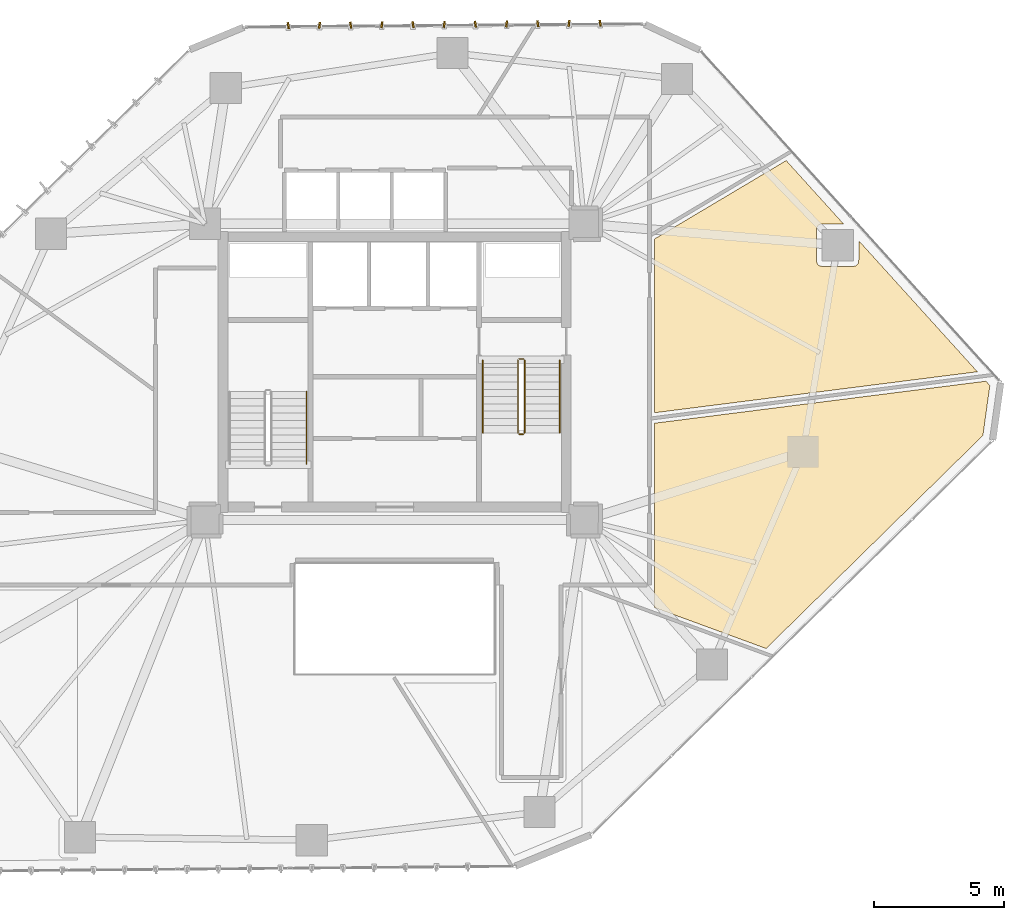
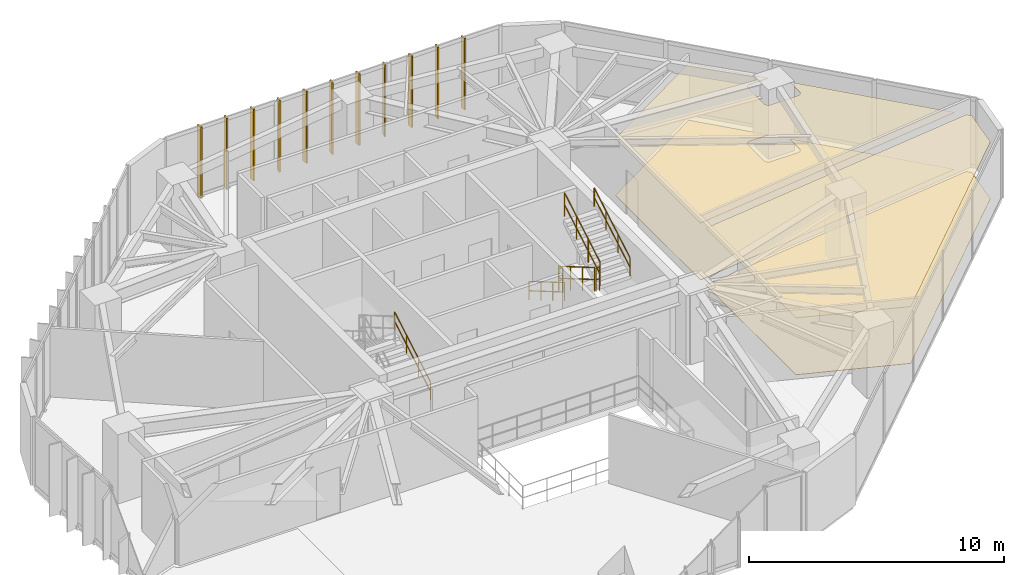
# One storey, part 21 of 21: 11 shading devices, 7 railings, 4 coverings.
"""IFC4 building model written with IfcOpenShell, lengths in metres."""

from ifc_helpers import new_model, si_unit, direction, frame, origin, origin_2d, place, context, subcontext, project, spatial, polyline, rectangle, circle, outline, extrude, source, transform, mapped, material, layer, layer_set, type_object, type_shapes, element, save


model = new_model("IFC4")

# Units and contexts
model_context = context("Model", 3, precision=1e-05, world=origin(), true_north=direction((0.0, 1.0)))
body_context = subcontext(model_context, "Body", "Model", "MODEL_VIEW")
ifc_project = project(units=[si_unit("LENGTHUNIT", "METRE"), si_unit("AREAUNIT", "SQUARE_METRE"), si_unit("VOLUMEUNIT", "CUBIC_METRE"), si_unit("PLANEANGLEUNIT", "RADIAN"), si_unit("MASSUNIT", "GRAM", prefix="KILO")], contexts=[model_context])

# Site, building, storey
site_placement = place(None, origin())
site = spatial("IfcSite", under=ifc_project, at=site_placement, CompositionType="ELEMENT")
building_placement = place(site_placement, origin())
building = spatial("IfcBuilding", under=site, at=building_placement, Name="Talar Marvaseh", CompositionType="ELEMENT")
storey_placement = place(building_placement, frame((0.0, 0.0, 93.0)))
storey = spatial("IfcBuildingStorey", under=building, at=storey_placement, Name="L23", CompositionType="ELEMENT", Elevation=93.0)

# Railings
ifc_material_1 = material(Name="Stainless Steel Grade 316", Category="steel")
railing_type_1 = type_object("IfcRailingType", Name="Brushed Stainless Wall Pitch Handrail 900", PredefinedType="HANDRAIL", material=ifc_material_1)
railing_1_placement = place(storey_placement, frame((22.610107421875, 27.64990234375, 0.16357421875)))
element("IfcRailing", 1, at=railing_1_placement, inside=storey, type_object=railing_type_1, Name="L23 ST-1 stair handrail 1", PredefinedType="HANDRAIL", context=body_context, shape_type="SweptSolid", body=[
    extrude(circle(Radius=0.02392578125, at=origin_2d()), frame((0.0, 0.0, 0.8759765625), z_axis=(0.0, 0.863360870873, 0.504586966384), x_axis=(-1.0, 0.0, 0.0)), (0.0, 0.0, 1.0), 3.2431640625),
    extrude(circle(Radius=0.02392578125, at=origin_2d()), frame((0.0, 0.0, 0.42578125), z_axis=(0.0, 0.863360870873, 0.504586966384), x_axis=(-1.0, 0.0, 0.0)), (0.0, 0.0, 1.0), 3.2431640625),
    extrude(circle(Radius=0.02099609375, at=origin_2d()), origin(), (0.0, 0.0, 1.0), 0.851806640625),
    extrude(circle(Radius=0.02099609375, at=origin_2d()), frame((0.0, 0.933349609375, 0.54541015625)), (0.0, 0.0, 1.0), 0.851806640625),
    extrude(circle(Radius=0.02099609375, at=origin_2d()), frame((0.0, 1.86669921875, 1.091064453125)), (0.0, 0.0, 1.0), 0.851806640625),
    extrude(circle(Radius=0.02099609375, at=origin_2d()), frame((0.0, 2.800048828125, 1.636474609375)), (0.0, 0.0, 1.0), 0.851806640625),
])
railing_2_placement = place(storey_placement, frame((29.389892578125, 31.64990234375, 0.16357421875)))
element("IfcRailing", 2, at=railing_2_placement, inside=storey, type_object=railing_type_1, Name="L23 ST-2 stair handrail 1", PredefinedType="HANDRAIL", context=body_context, shape_type="SweptSolid", body=[
    extrude(circle(Radius=0.02392578125, at=origin_2d()), frame((0.0, 0.0, 0.8759765625), z_axis=(0.0, -0.863341702679, 0.504619762213), x_axis=(1.0, 0.0, 0.0)), (0.0, 0.0, 1.0), 3.242919921875),
    extrude(circle(Radius=0.02392578125, at=origin_2d()), frame((0.0, 0.0, 0.42578125), z_axis=(0.0, -0.863341702679, 0.504619762213), x_axis=(1.0, 0.0, 0.0)), (0.0, 0.0, 1.0), 3.242919921875),
    extrude(circle(Radius=0.02099609375, at=origin_2d()), origin(), (0.0, 0.0, 1.0), 0.851806640625),
    extrude(circle(Radius=0.02099609375, at=origin_2d()), frame((0.0, -0.933349609375, 0.54541015625)), (0.0, 0.0, 1.0), 0.851806640625),
    extrude(circle(Radius=0.02099609375, at=origin_2d()), frame((0.0, -1.866455078125, 1.091064453125)), (0.0, 0.0, 1.0), 0.851806640625),
    extrude(circle(Radius=0.02099609375, at=origin_2d()), frame((0.0, -2.7998046875, 1.636474609375)), (0.0, 0.0, 1.0), 0.851806640625),
])
railing_3_placement = place(storey_placement, frame((32.35009765625, 28.85009765625, 1.963623046875)))
element("IfcRailing", 3, at=railing_3_placement, inside=storey, type_object=railing_type_1, Name="L23 ST-2 stair handrail 2", PredefinedType="HANDRAIL", context=body_context, shape_type="SweptSolid", body=[
    extrude(circle(Radius=0.02392578125, at=origin_2d()), frame((0.0, 0.0, 0.8759765625), z_axis=(0.0, 0.863341702679, 0.504619762213), x_axis=(-1.0, 0.0, 0.0)), (0.0, 0.0, 1.0), 3.242919921875),
    extrude(circle(Radius=0.02392578125, at=origin_2d()), frame((0.0, 0.0, 0.42578125), z_axis=(0.0, 0.863341702679, 0.504619762213), x_axis=(-1.0, 0.0, 0.0)), (0.0, 0.0, 1.0), 3.242919921875),
    extrude(circle(Radius=0.02099609375, at=origin_2d()), origin(), (0.0, 0.0, 1.0), 0.851806640625),
    extrude(circle(Radius=0.02099609375, at=origin_2d()), frame((0.0, 0.933349609375, 0.54541015625)), (0.0, 0.0, 1.0), 0.851806640625),
    extrude(circle(Radius=0.02099609375, at=origin_2d()), frame((0.0, 1.866455078125, 1.091064453125)), (0.0, 0.0, 1.0), 0.851806640625),
    extrude(circle(Radius=0.02099609375, at=origin_2d()), frame((0.0, 2.7998046875, 1.636474609375)), (0.0, 0.0, 1.0), 0.851806640625),
])
railing_type_2 = type_object("IfcRailingType", Name="Painted Steel Core Stair Well Guardrail 1150", PredefinedType="GUARDRAIL", material=ifc_material_1)
railing_4_placement = place(storey_placement, frame((30.739990234375, 31.64990234375, 0.16357421875)))
element("IfcRailing", 4, at=railing_4_placement, inside=storey, type_object=railing_type_2, Name="L23 ST-2 stair guard 1", PredefinedType="GUARDRAIL", context=body_context, shape_type="SweptSolid", body=[
    extrude(circle(Radius=0.02392578125, at=origin_2d()), frame((0.0, 0.0, 1.1259765625), z_axis=(0.0, -0.863341702679, 0.504619762213), x_axis=(1.0, 0.0, 0.0)), (0.0, 0.0, 1.0), 3.242919921875),
    extrude(circle(Radius=0.02392578125, at=origin_2d()), frame((0.0, 0.0, 0.55078125), z_axis=(0.0, -0.863341702679, 0.504619762213), x_axis=(1.0, 0.0, 0.0)), (0.0, 0.0, 1.0), 3.242919921875),
    extrude(circle(Radius=0.02099609375, at=origin_2d()), origin(), (0.0, 0.0, 1.0), 1.101806640625),
    extrude(circle(Radius=0.02099609375, at=origin_2d()), frame((0.0, -0.933349609375, 0.54541015625)), (0.0, 0.0, 1.0), 1.101806640625),
    extrude(circle(Radius=0.02099609375, at=origin_2d()), frame((0.0, -1.866455078125, 1.091064453125)), (0.0, 0.0, 1.0), 1.101806640625),
    extrude(circle(Radius=0.02099609375, at=origin_2d()), frame((0.0, -2.7998046875, 1.636474609375)), (0.0, 0.0, 1.0), 1.101806640625),
])
railing_5_placement = place(storey_placement, frame((30.7900390625, 28.800048828125, 1.800048828125)))
element("IfcRailing", 5, at=railing_5_placement, inside=storey, type_object=railing_type_2, Name="L23 ST-2 stair guard 2", PredefinedType="GUARDRAIL", context=body_context, shape_type="SweptSolid", body=[
    extrude(circle(Radius=0.02392578125, at=origin_2d()), frame((0.0, 0.0, 1.1259765625), z_axis=(1.0, 0.0, 0.0), x_axis=(0.0, 1.0, 0.0)), (0.0, 0.0, 1.0), 0.159912109375),
    extrude(circle(Radius=0.02392578125, at=origin_2d()), frame((0.0, 0.0, 0.55078125), z_axis=(1.0, 0.0, 0.0), x_axis=(0.0, 1.0, 0.0)), (0.0, 0.0, 1.0), 0.159912109375),
    extrude(circle(Radius=0.02099609375, at=origin_2d()), origin(), (0.0, 0.0, 1.0), 1.101806640625),
    extrude(circle(Radius=0.02099609375, at=origin_2d()), frame((0.159912109375, 0.0, 0.0)), (0.0, 0.0, 1.0), 1.101806640625),
])
railing_6_placement = place(storey_placement, frame((31.0, 28.85009765625, 1.963623046875)))
element("IfcRailing", 6, at=railing_6_placement, inside=storey, type_object=railing_type_2, Name="L23 ST-2 stair guard 3", PredefinedType="GUARDRAIL", context=body_context, shape_type="SweptSolid", body=[
    extrude(circle(Radius=0.02392578125, at=origin_2d()), frame((0.0, 0.0, 1.1259765625), z_axis=(0.0, 0.863341702679, 0.504619762213), x_axis=(-1.0, 0.0, 0.0)), (0.0, 0.0, 1.0), 3.242919921875),
    extrude(circle(Radius=0.02392578125, at=origin_2d()), frame((0.0, 0.0, 0.55078125), z_axis=(0.0, 0.863341702679, 0.504619762213), x_axis=(-1.0, 0.0, 0.0)), (0.0, 0.0, 1.0), 3.242919921875),
    extrude(circle(Radius=0.02099609375, at=origin_2d()), origin(), (0.0, 0.0, 1.0), 1.101806640625),
    extrude(circle(Radius=0.02099609375, at=origin_2d()), frame((0.0, 0.933349609375, 0.54541015625)), (0.0, 0.0, 1.0), 1.101806640625),
    extrude(circle(Radius=0.02099609375, at=origin_2d()), frame((0.0, 1.866455078125, 1.091064453125)), (0.0, 0.0, 1.0), 1.101806640625),
    extrude(circle(Radius=0.02099609375, at=origin_2d()), frame((0.0, 2.7998046875, 1.636474609375)), (0.0, 0.0, 1.0), 1.101806640625),
])
railing_7_placement = place(storey_placement, frame((30.7900390625, 31.699951171875, 0.0)))
element("IfcRailing", 7, at=railing_7_placement, inside=storey, type_object=railing_type_2, Name="L23 ST-2 stair guard 4", PredefinedType="GUARDRAIL", context=body_context, shape_type="SweptSolid", body=[
    extrude(circle(Radius=0.02392578125, at=origin_2d()), frame((0.0, 0.0, 1.1259765625), z_axis=(1.0, 0.0, 0.0), x_axis=(0.0, 1.0, 0.0)), (0.0, 0.0, 1.0), 0.159912109375),
    extrude(circle(Radius=0.02392578125, at=origin_2d()), frame((0.0, 0.0, 0.55078125), z_axis=(1.0, 0.0, 0.0), x_axis=(0.0, 1.0, 0.0)), (0.0, 0.0, 1.0), 0.159912109375),
    extrude(circle(Radius=0.02099609375, at=origin_2d()), origin(), (0.0, 0.0, 1.0), 1.101806640625),
    extrude(circle(Radius=0.02099609375, at=origin_2d()), frame((0.159912109375, 0.0, 0.0)), (0.0, 0.0, 1.0), 1.101806640625),
])

# Coverings
ifc_material_2 = material(Name="Mineral Fibre Acoustic Ceiling")
ifc_layer_1 = layer(ifc_material_2, 0.02490234375)
ifc_layer_set_1 = layer_set([ifc_layer_1], Name="Mineral Fibre Acoustic Ceiling")
covering_type_1 = type_object("IfcCoveringType", Name="Perforated Mineral Fibre Acoustic Suspended Ceiling", PredefinedType="CEILING", material=ifc_layer_set_1)
covering_1_placement = place(storey_placement, frame((0.0, 0.0, 2.719970703125)))
element("IfcCovering", 8, at=covering_1_placement, inside=storey, type_object=covering_type_1, Name="L23 Main Reading Room Acoustic Ceiling", PredefinedType="CEILING", context=body_context, shape_type="SweptSolid", body=[
    extrude(outline(polyline([(36.0, 22.1328125), (36.0, 23.0), (36.0, 29.226806640625), (48.74658203125, 30.843994140625), (48.89892578125, 30.67578125), (48.63134765625, 28.752197265625), (40.289794921875, 20.557861328125), (36.0, 22.1328125)])), origin(), (0.0, 0.0, 1.0), 0.025146484375),
])
covering_2_placement = place(storey_placement, frame((0.0, 0.0, 2.719970703125)))
element("IfcCovering", 9, at=covering_2_placement, inside=storey, type_object=covering_type_1, Name="L23 Scholars' Servery Pantry Acoustic Ceiling", PredefinedType="CEILING", context=body_context, shape_type="SweptSolid", body=[
    extrude(outline(polyline([(41.06298828125, 39.331787109375), (43.273681640625, 36.8896484375), (42.4326171875, 36.88671875), (42.4130859375, 36.885498046875), (42.393798828125, 36.882568359375), (42.374755859375, 36.877685546875), (42.3564453125, 36.87109375), (42.338623046875, 36.86279296875), (42.322021484375, 36.8525390625), (42.30615234375, 36.8408203125), (42.291748046875, 36.827880859375), (42.278564453125, 36.813232421875), (42.26708984375, 36.797607421875), (42.2568359375, 36.78076171875), (42.24853515625, 36.762939453125), (42.241943359375, 36.744384765625), (42.2373046875, 36.7255859375), (42.234375, 36.706298828125), (42.2333984375, 36.6865234375), (42.2333984375, 35.46533203125), (42.234375, 35.44580078125), (42.2373046875, 35.426513671875), (42.241943359375, 35.4072265625), (42.24853515625, 35.388916015625), (42.257080078125, 35.37109375), (42.26708984375, 35.354248046875), (42.27880859375, 35.33837890625), (42.2919921875, 35.323974609375), (42.306396484375, 35.310791015625), (42.322265625, 35.299072265625), (42.339111328125, 35.2890625), (42.35693359375, 35.280517578125), (42.375244140625, 35.27392578125), (42.394287109375, 35.269287109375), (42.413818359375, 35.266357421875), (42.433349609375, 35.265380859375), (43.654541015625, 35.265380859375), (43.67431640625, 35.266357421875), (43.693603515625, 35.269287109375), (43.71240234375, 35.27392578125), (43.73095703125, 35.280517578125), (43.748779296875, 35.288818359375), (43.765380859375, 35.299072265625), (43.78125, 35.310546875), (43.7958984375, 35.32373046875), (43.808837890625, 35.338134765625), (43.820556640625, 35.35400390625), (43.830810546875, 35.37060546875), (43.839111328125, 35.388427734375), (43.845703125, 35.40673828125), (43.8505859375, 35.42578125), (43.853515625, 35.445068359375), (43.8544921875, 35.464599609375), (43.857421875, 36.2451171875), (48.419189453125, 31.20556640625), (36.0, 29.6298828125), (36.0, 36.3173828125), (41.06298828125, 39.331787109375)])), origin(), (0.0, 0.0, 1.0), 0.025146484375),
])
ifc_material_3 = material(Name="Porcelain Stoneware Tile", Category="masonry")
ifc_layer_2 = layer(ifc_material_3, 0.02001953125)
ifc_layer_set_2 = layer_set([ifc_layer_2], Name="Porcelain Stoneware Tile")
covering_type_2 = type_object("IfcCoveringType", Name="Polished Porcelain Stoneware Gallery Flooring", PredefinedType="FLOORING", material=ifc_layer_set_2)
covering_3_placement = place(storey_placement, origin())
element("IfcCovering", 10, at=covering_3_placement, inside=storey, type_object=covering_type_2, Name="L23 Main Reading Room Flooring", PredefinedType="FLOORING", context=body_context, shape_type="SweptSolid", body=[
    extrude(outline(polyline([(36.0, 22.1328125), (36.0, 23.0), (36.0, 29.226806640625), (48.74658203125, 30.843994140625), (48.89892578125, 30.67578125), (48.63134765625, 28.752197265625), (40.289794921875, 20.557861328125), (36.0, 22.1328125)])), origin(), (0.0, 0.0, 1.0), 0.02001953125),
])
covering_4_placement = place(storey_placement, origin())
element("IfcCovering", 11, at=covering_4_placement, inside=storey, type_object=covering_type_2, Name="L23 Scholars' Servery Pantry Flooring", PredefinedType="FLOORING", context=body_context, shape_type="SweptSolid", body=[
    extrude(outline(polyline([(41.06298828125, 39.331787109375), (43.273681640625, 36.8896484375), (42.4326171875, 36.88671875), (42.4130859375, 36.885498046875), (42.393798828125, 36.882568359375), (42.374755859375, 36.877685546875), (42.3564453125, 36.87109375), (42.338623046875, 36.86279296875), (42.322021484375, 36.8525390625), (42.30615234375, 36.8408203125), (42.291748046875, 36.827880859375), (42.278564453125, 36.813232421875), (42.26708984375, 36.797607421875), (42.2568359375, 36.78076171875), (42.24853515625, 36.762939453125), (42.241943359375, 36.744384765625), (42.2373046875, 36.7255859375), (42.234375, 36.706298828125), (42.2333984375, 36.6865234375), (42.2333984375, 35.46533203125), (42.234375, 35.44580078125), (42.2373046875, 35.426513671875), (42.241943359375, 35.4072265625), (42.24853515625, 35.388916015625), (42.257080078125, 35.37109375), (42.26708984375, 35.354248046875), (42.27880859375, 35.33837890625), (42.2919921875, 35.323974609375), (42.306396484375, 35.310791015625), (42.322265625, 35.299072265625), (42.339111328125, 35.2890625), (42.35693359375, 35.280517578125), (42.375244140625, 35.27392578125), (42.394287109375, 35.269287109375), (42.413818359375, 35.266357421875), (42.433349609375, 35.265380859375), (43.654541015625, 35.265380859375), (43.67431640625, 35.266357421875), (43.693603515625, 35.269287109375), (43.71240234375, 35.27392578125), (43.73095703125, 35.280517578125), (43.748779296875, 35.288818359375), (43.765380859375, 35.299072265625), (43.78125, 35.310546875), (43.7958984375, 35.32373046875), (43.808837890625, 35.338134765625), (43.820556640625, 35.35400390625), (43.830810546875, 35.37060546875), (43.839111328125, 35.388427734375), (43.845703125, 35.40673828125), (43.8505859375, 35.42578125), (43.853515625, 35.445068359375), (43.8544921875, 35.464599609375), (43.857421875, 36.2451171875), (48.419189453125, 31.20556640625), (36.0, 29.6298828125), (36.0, 36.3173828125), (41.06298828125, 39.331787109375)])), origin(), (0.0, 0.0, 1.0), 0.02001953125),
])

# Shading devices
ifc_material_4 = material(Name="Anodised Champagne Bronze Aluminium", Category="aluminium")
ifc_layer_3 = layer(ifc_material_4, 0.06494140625)
ifc_layer_set_3 = layer_set([ifc_layer_3], Name="Anodised Champagne Bronze Aluminium")
shading_device_type = type_object("IfcShadingDeviceType", Name="Sawtooth Champagne Bronze Vertical Fin 240", PredefinedType="USERDEFINED", material=ifc_layer_set_3)
shared_shape = source(origin(), body_context, "Body", "SweptSolid", [
    extrude(rectangle(XDim=0.239990234375, YDim=0.06494140625, at=origin_2d()), origin(), (0.0, 0.0, 1.0), 3.429931640625),
])
type_shapes(shading_device_type, [shared_shape])
for number, where, z_axis, x_axis, name in (
    (12, (21.9052734375, 44.52685546875, -0.1201171875), (0.0, 0.0, 1.0), (-0.146600990296, 0.989195708464, 0.0), "L23 Sawtooth Vertical Solar Fin"),
    (13, (23.105224609375, 44.535888671875, -0.1201171875), (0.0, 0.0, 1.0), (0.131737372908, 0.991284653659, 0.0), "L23 Sawtooth Vertical Solar Fin"),
    (14, (24.305419921875, 44.544921875, -0.1201171875), (0.0, 0.0, 1.0), (-0.146600990296, 0.989195708464, 0.0), "L23 Sawtooth Vertical Solar Fin"),
    (15, (25.505126953125, 44.553955078125, -0.1201171875), (0.0, 0.0, 1.0), (0.131737372908, 0.991284653659, 0.0), "L23 Sawtooth Vertical Solar Fin"),
    (16, (26.705078125, 44.56298828125, -0.1201171875), (0.0, 0.0, 1.0), (-0.146600990296, 0.989195708464, 0.0), "L23 Sawtooth Vertical Solar Fin"),
    (17, (27.9052734375, 44.572021484375, -0.1201171875), (0.0, 0.0, 1.0), (0.131737372908, 0.991284653659, 0.0), "L23 Sawtooth Vertical Solar Fin"),
    (18, (29.10498046875, 44.5810546875, -0.1201171875), (0.0, 0.0, 1.0), (-0.146600990296, 0.989195708464, 0.0), "L23 Sawtooth Vertical Solar Fin"),
    (19, (30.30517578125, 44.590087890625, -0.1201171875), (0.0, 0.0, 1.0), (0.131737372908, 0.991284653659, 0.0), "L23 Sawtooth Vertical Solar Fin"),
    (20, (31.505126953125, 44.59912109375, -0.1201171875), (0.0, 0.0, 1.0), (-0.146600990296, 0.989195708464, 0.0), "L23 Sawtooth Vertical Solar Fin"),
    (21, (32.705078125, 44.6083984375, -0.1201171875), (0.0, 0.0, 1.0), (0.131737372908, 0.991284653659, 0.0), "L23 Sawtooth Vertical Solar Fin"),
    (22, (33.905029296875, 44.6171875, -0.1201171875), (0.0, 0.0, 1.0), (-0.146600990296, 0.989195708464, 0.0), "L23 Sawtooth Vertical Solar Fin"),
):
    element("IfcShadingDevice", number, at=place(storey_placement, frame(where, z_axis=z_axis, x_axis=x_axis)), inside=storey, type_object=shading_device_type, Name=name, ObjectType="FIN", PredefinedType="USERDEFINED", context=body_context, shape_type="MappedRepresentation", body=[
        mapped(shared_shape, transform((0.0, 0.0, 0.0), x_axis=(1.0, 0.0, 0.0), y_axis=(0.0, 1.0, 0.0), z_axis=(0.0, 0.0, 1.0), scale=1.0)),
    ])

save(model, "model.ifc")
